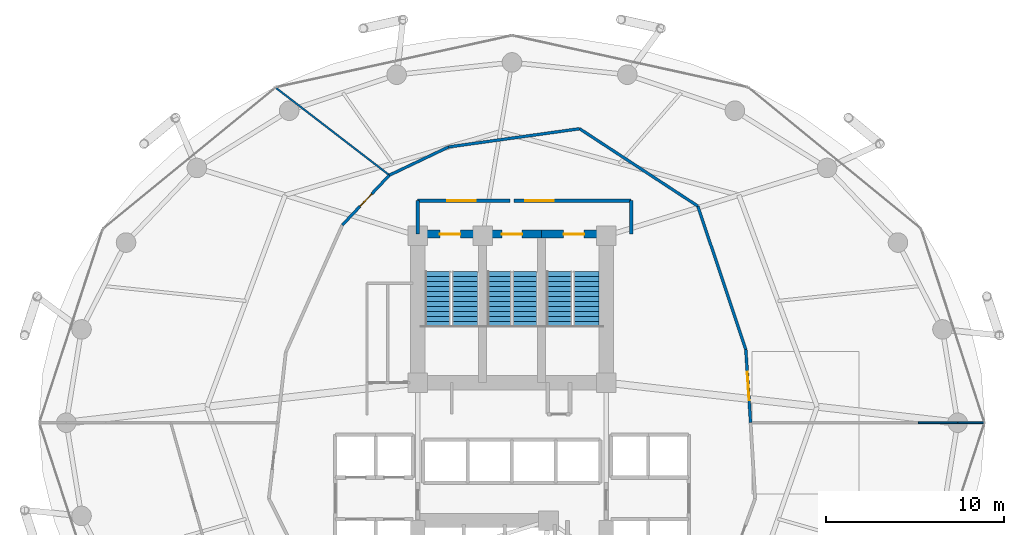
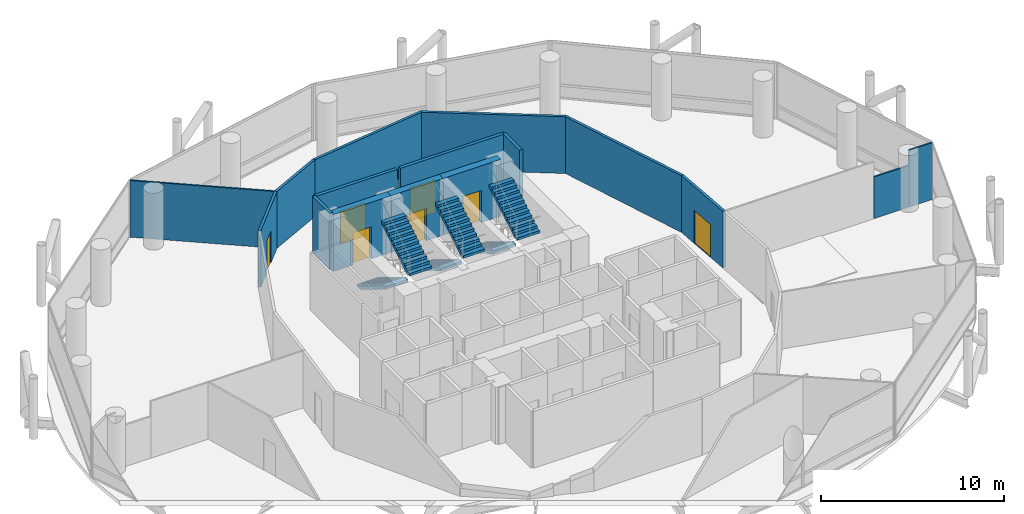
# One storey, part 23 of 24: 16 walls, 7 doors, 6 stair flights, 7 openings, 3 elements without a shape of their own.
"""IFC4 building model written with IfcOpenShell, lengths in metres."""

from ifc_helpers import new_model, si_unit, direction, frame, frame_2d, origin, place, context, subcontext, project, spatial, polyline, rectangle, outline, extrude, material, layer, layer_set, type_object, element, fill, aggregate, save


model = new_model("IFC4")

# Units and contexts
model_context = context("Model", 3, precision=1e-05, world=origin(), true_north=direction((0.0, 1.0)))
body_context = subcontext(model_context, "Body", "Model", "MODEL_VIEW")
ifc_project = project(units=[si_unit("LENGTHUNIT", "METRE"), si_unit("AREAUNIT", "SQUARE_METRE"), si_unit("VOLUMEUNIT", "CUBIC_METRE"), si_unit("PLANEANGLEUNIT", "RADIAN"), si_unit("MASSUNIT", "GRAM", prefix="KILO")], contexts=[model_context])

# Site, building, storey
site_placement = place(None, origin())
site = spatial("IfcSite", under=ifc_project, at=site_placement, CompositionType="ELEMENT")
building_placement = place(site_placement, origin())
building = spatial("IfcBuilding", under=site, at=building_placement, Name="Nuhasar Tower", CompositionType="ELEMENT")
storey_placement = place(building_placement, frame((0.0, 0.0, 37.199951171875)))
storey = spatial("IfcBuildingStorey", under=building, at=storey_placement, Name="L08", CompositionType="ELEMENT", Elevation=37.199951171875)

# Wall, opening, door
ifc_material_1 = material(Name="Concrete C50/60", Category="concrete")
ifc_layer_1 = layer(ifc_material_1, 0.449951171875)
ifc_layer_set_1 = layer_set([ifc_layer_1], Name="Concrete C50/60")
wall_type_1 = type_object("IfcWallType", Name="WL-CORE-450", PredefinedType="SHEAR", material=ifc_layer_set_1)
wall_1_placement = place(storey_placement, frame((37.35009765625, 37.39990234375, 0.0), z_axis=(0.0, 0.0, 1.0), x_axis=(-1.0, 0.0, 0.0)))
wall_1 = element("IfcWall", 1, at=wall_1_placement, inside=storey, type_object=wall_type_1, Name="L08 Stairwell Shear Wall ST01-N", PredefinedType="SHEAR", context=body_context, shape_type="SweptSolid", body=[
    extrude(rectangle(XDim=3.650146484375, YDim=0.449951171875, at=frame_2d((1.8251953125, 0.0))), origin(), (0.0, 0.0, 1.0), 3.7900390625),
])
opening_1_placement = place(wall_1_placement, frame((1.25, 0.0, 0.0)))
opening_1 = element("IfcOpeningElement", 2, at=opening_1_placement, cuts=wall_1, Name="Opening DS-01", PredefinedType="OPENING", context=body_context, shape_type="SweptSolid", body=[
    extrude(rectangle(XDim=1.14990234375, YDim=2.14990234375, at=frame_2d((0.574951171875, 1.074951171875))), frame((0.0, 0.23486328125, 0.0), z_axis=(0.0, -1.0, 0.0), x_axis=(1.0, 0.0, 0.0)), (0.0, 0.0, 1.0), 0.469970703125),
])
ifc_material_2 = material(Name="Steel S355", Category="steel")
door_type_1 = type_object("IfcDoorType", Name="DR-STAIR-FD120-1150", OperationType="NOTDEFINED", PredefinedType="DOOR", material=ifc_material_2)
door_1_placement = place(opening_1_placement, origin())
door_1 = element("IfcDoor", 3, at=door_1_placement, inside=storey, type_object=door_type_1, Name="L08 Exit Stair ST-01 Door", OperationType="SINGLE_SWING_RIGHT", OverallHeight=2.14990234375, OverallWidth=1.14990234375, PredefinedType="DOOR", context=body_context, shape_type="SweptSolid", body=[
    extrude(rectangle(XDim=1.14990234375, YDim=2.14990234375, at=frame_2d((0.574951171875, 1.074951171875))), frame((0.0, 0.02490234375, 0.0), z_axis=(0.0, -1.0, 0.0), x_axis=(1.0, 0.0, 0.0)), (0.0, 0.0, 1.0), 0.050048828125),
])
fill(opening_1, door_1)

wall_2_placement = place(storey_placement, frame((40.64990234375, 37.39990234375, 0.0), z_axis=(0.0, 0.0, 1.0), x_axis=(-1.0, 0.0, 0.0)))
wall_2 = element("IfcWall", 4, at=wall_2_placement, inside=storey, type_object=wall_type_1, Name="L08 Stairwell Shear Wall ST03-N", PredefinedType="SHEAR", context=body_context, shape_type="SweptSolid", body=[
    extrude(rectangle(XDim=3.2998046875, YDim=0.449951171875, at=frame_2d((1.64990234375, 0.0))), origin(), (0.0, 0.0, 1.0), 3.7900390625),
])
opening_2_placement = place(wall_2_placement, frame((1.074951171875, 0.0, 0.0)))
opening_2 = element("IfcOpeningElement", 5, at=opening_2_placement, cuts=wall_2, Name="Opening DS-01", PredefinedType="OPENING", context=body_context, shape_type="SweptSolid", body=[
    extrude(rectangle(XDim=1.14990234375, YDim=2.14990234375, at=frame_2d((0.574951171875, 1.074951171875))), frame((0.0, 0.23486328125, 0.0), z_axis=(0.0, -1.0, 0.0), x_axis=(1.0, 0.0, 0.0)), (0.0, 0.0, 1.0), 0.469970703125),
])
door_2_placement = place(opening_2_placement, origin())
door_2 = element("IfcDoor", 6, at=door_2_placement, inside=storey, type_object=door_type_1, Name="L08 Exit Stair ST-03 Door", OperationType="SINGLE_SWING_RIGHT", OverallHeight=2.14990234375, OverallWidth=1.14990234375, PredefinedType="DOOR", context=body_context, shape_type="SweptSolid", body=[
    extrude(rectangle(XDim=1.14990234375, YDim=2.14990234375, at=frame_2d((0.574951171875, 1.074951171875))), frame((0.0, 0.02490234375, 0.0), z_axis=(0.0, -1.0, 0.0), x_axis=(1.0, 0.0, 0.0)), (0.0, 0.0, 1.0), 0.050048828125),
])
fill(opening_2, door_2)

wall_3_placement = place(storey_placement, frame((44.300048828125, 37.39990234375, 0.0), z_axis=(0.0, 0.0, 1.0), x_axis=(-1.0, 0.0, 0.0)))
wall_3 = element("IfcWall", 7, at=wall_3_placement, inside=storey, type_object=wall_type_1, Name="L08 Stairwell Shear Wall ST02-N", PredefinedType="SHEAR", context=body_context, shape_type="SweptSolid", body=[
    extrude(rectangle(XDim=3.650146484375, YDim=0.449951171875, at=frame_2d((1.8251953125, 0.0))), origin(), (0.0, 0.0, 1.0), 3.7900390625),
])
opening_3_placement = place(wall_3_placement, frame((1.25, 0.0, 0.0)))
opening_3 = element("IfcOpeningElement", 8, at=opening_3_placement, cuts=wall_3, Name="Opening DS-01", PredefinedType="OPENING", context=body_context, shape_type="SweptSolid", body=[
    extrude(rectangle(XDim=1.14990234375, YDim=2.14990234375, at=frame_2d((0.574951171875, 1.074951171875))), frame((0.0, 0.23486328125, 0.0), z_axis=(0.0, -1.0, 0.0), x_axis=(1.0, 0.0, 0.0)), (0.0, 0.0, 1.0), 0.469970703125),
])
door_3_placement = place(opening_3_placement, origin())
door_3 = element("IfcDoor", 9, at=door_3_placement, inside=storey, type_object=door_type_1, Name="L08 Exit Stair ST-02 Door", OperationType="SINGLE_SWING_LEFT", OverallHeight=2.14990234375, OverallWidth=1.14990234375, PredefinedType="DOOR", context=body_context, shape_type="SweptSolid", body=[
    extrude(rectangle(XDim=1.14990234375, YDim=2.14990234375, at=frame_2d((0.574951171875, 1.074951171875))), frame((0.0, 0.02490234375, 0.0), z_axis=(0.0, -1.0, 0.0), x_axis=(1.0, 0.0, 0.0)), (0.0, 0.0, 1.0), 0.050048828125),
])
fill(opening_3, door_3)

ifc_material_3 = material(Name="Gypsum Board", Category="gypsum")
ifc_layer_2 = layer(ifc_material_3, 0.159912109375)
ifc_layer_set_2 = layer_set([ifc_layer_2], Name="Gypsum Board")
wall_type_2 = type_object("IfcWallType", Name="WL-CORR-160", PredefinedType="PARTITIONING", material=ifc_layer_set_2)
wall_4_placement = place(storey_placement, frame((52.14208984375, 30.904052734375, 0.0), z_axis=(0.0, 0.0, 1.0), x_axis=(0.065120257788, -0.997877423347, 0.0)))
wall_4 = element("IfcWall", 10, at=wall_4_placement, inside=storey, type_object=wall_type_2, Name="L08 Interior Partition CORR-00", PredefinedType="PARTITIONING", context=body_context, shape_type="SweptSolid", body=[
    extrude(rectangle(XDim=4.11279296875, YDim=0.159912109375, at=frame_2d((2.056396484375, 0.0))), origin(), (0.0, 0.0, 1.0), 3.7900390625),
])
opening_4_placement = place(wall_4_placement, frame((1.256103515625, 0.0, 0.0)))
opening_4 = element("IfcOpeningElement", 11, at=opening_4_placement, cuts=wall_4, Name="Opening DC-01", PredefinedType="OPENING", context=body_context, shape_type="SweptSolid", body=[
    extrude(rectangle(XDim=1.60009765625, YDim=2.199951171875, at=frame_2d((0.800048828125, 1.10009765625))), frame((0.0, 0.08984375, 0.0), z_axis=(0.0, -1.0, 0.0), x_axis=(1.0, 0.0, 0.0)), (0.0, 0.0, 1.0), 0.179931640625),
])
door_type_2 = type_object("IfcDoorType", Name="DR-CORR-FD60-1600", OperationType="DOUBLE_DOOR_SINGLE_SWING", PredefinedType="DOOR", material=ifc_material_2)
door_4_placement = place(opening_4_placement, origin())
door_4 = element("IfcDoor", 12, at=door_4_placement, inside=storey, type_object=door_type_2, Name="L08 Corporate Headquarters Open-Plan Trading Hall Entry Door", OperationType="DOUBLE_DOOR_SINGLE_SWING", OverallHeight=2.199951171875, OverallWidth=1.60009765625, PredefinedType="DOOR", context=body_context, shape_type="SweptSolid", body=[
    extrude(rectangle(XDim=1.60009765625, YDim=2.199951171875, at=frame_2d((0.800048828125, 1.10009765625))), frame((0.0, 0.02490234375, 0.0), z_axis=(0.0, -1.0, 0.0), x_axis=(1.0, 0.0, 0.0)), (0.0, 0.0, 1.0), 0.050048828125),
])
fill(opening_4, door_4)

# Walls
wall_5_placement = place(storey_placement, frame((52.14208984375, 30.904052734375, 0.0), z_axis=(0.0, 0.0, 1.0), x_axis=(-0.3169334414, 0.948447781231, 0.0)))
element("IfcWall", 13, at=wall_5_placement, inside=storey, type_object=wall_type_2, Name="L08 Interior Partition CORR-02", PredefinedType="PARTITIONING", context=body_context, shape_type="SweptSolid", body=[
    extrude(rectangle(XDim=8.509765625, YDim=0.159912109375, at=frame_2d((4.2548828125, 0.0))), origin(), (0.0, 0.0, 1.0), 3.7900390625),
])
wall_6_placement = place(storey_placement, frame((49.445068359375, 38.97509765625, 0.0), z_axis=(0.0, 0.0, 1.0), x_axis=(-0.836865632057, 0.547408361173, 0.0)))
element("IfcWall", 14, at=wall_6_placement, inside=storey, type_object=wall_type_2, Name="L08 Interior Partition CORR-06", PredefinedType="PARTITIONING", context=body_context, shape_type="SweptSolid", body=[
    extrude(rectangle(XDim=7.942626953125, YDim=0.159912109375, at=frame_2d((3.97119140625, 0.0))), origin(), (0.0, 0.0, 1.0), 3.7900390625),
])
wall_7_placement = place(storey_placement, frame((42.798095703125, 43.322998046875, 0.0), z_axis=(0.0, 0.0, 1.0), x_axis=(-0.990463778548, -0.13777337691, 0.0)))
element("IfcWall", 15, at=wall_7_placement, inside=storey, type_object=wall_type_2, Name="L08 Interior Partition CORR-10", PredefinedType="PARTITIONING", context=body_context, shape_type="SweptSolid", body=[
    extrude(rectangle(XDim=7.431884765625, YDim=0.159912109375, at=frame_2d((3.7158203125, 0.0))), origin(), (0.0, 0.0, 1.0), 3.7900390625),
])
wall_8_placement = place(storey_placement, frame((35.43701171875, 42.299072265625, 0.0), z_axis=(0.0, 0.0, 1.0), x_axis=(-0.902614367428, -0.430450117565, 0.0)))
element("IfcWall", 16, at=wall_8_placement, inside=storey, type_object=wall_type_2, Name="L08 Interior Partition CORR-14", PredefinedType="PARTITIONING", context=body_context, shape_type="SweptSolid", body=[
    extrude(rectangle(XDim=3.687255859375, YDim=0.159912109375, at=frame_2d((1.84375, 0.0))), origin(), (0.0, 0.0, 1.0), 3.7900390625),
])

# Wall, opening, door
wall_9_placement = place(storey_placement, frame((29.466064453125, 37.9130859375, 0.0), z_axis=(0.0, 0.0, 1.0), x_axis=(0.686552760942, 0.727079986276, 0.0)))
wall_9 = element("IfcWall", 17, at=wall_9_placement, inside=storey, type_object=wall_type_2, Name="L08 Interior Partition CORR-16", PredefinedType="PARTITIONING", context=body_context, shape_type="SweptSolid", body=[
    extrude(rectangle(XDim=3.849365234375, YDim=0.159912109375, at=frame_2d((1.9248046875, 0.0))), origin(), (0.0, 0.0, 1.0), 3.7900390625),
])
opening_5_placement = place(wall_9_placement, frame((1.449951171875, 0.0, 0.0)))
opening_5 = element("IfcOpeningElement", 18, at=opening_5_placement, cuts=wall_9, Name="Opening DO-01", PredefinedType="OPENING", context=body_context, shape_type="SweptSolid", body=[
    extrude(rectangle(XDim=0.949951171875, YDim=2.14990234375, at=frame_2d((0.47509765625, 1.074951171875))), frame((0.0, 0.08984375, 0.0), z_axis=(0.0, -1.0, 0.0), x_axis=(1.0, 0.0, 0.0)), (0.0, 0.0, 1.0), 0.179931640625),
])
ifc_material_4 = material(Name="Timber Oak", Category="wood")
door_type_3 = type_object("IfcDoorType", Name="DR-OFFICE-FD30-950", OperationType="NOTDEFINED", PredefinedType="DOOR", material=ifc_material_4)
door_5_placement = place(opening_5_placement, origin())
door_5 = element("IfcDoor", 19, at=door_5_placement, inside=storey, type_object=door_type_3, Name="L08 Townhall Lecture Room Entry Door", OperationType="SINGLE_SWING_RIGHT", OverallHeight=2.14990234375, OverallWidth=0.949951171875, PredefinedType="DOOR", context=body_context, shape_type="SweptSolid", body=[
    extrude(rectangle(XDim=0.949951171875, YDim=2.14990234375, at=frame_2d((0.47509765625, 1.074951171875))), frame((0.0, 0.02490234375, 0.0), z_axis=(0.0, -1.0, 0.0), x_axis=(1.0, 0.0, 0.0)), (0.0, 0.0, 1.0), 0.050048828125),
])
fill(opening_5, door_5)

# Walls
ifc_material_5 = material(Name="Concrete C45/55", Category="concrete")
ifc_layer_3 = layer(ifc_material_5, 0.199951171875)
ifc_layer_set_3 = layer_set([ifc_layer_3], Name="Concrete C45/55")
wall_type_3 = type_object("IfcWallType", Name="WL-LOBBY-200", PredefinedType="SOLIDWALL", material=ifc_layer_set_3)
for number, where, z_axis, x_axis, name in (
    (20, (33.699951171875, 37.39990234375, 0.0), (0.0, 0.0, 1.0), (0.0, 1.0, 0.0), "L08 Interior Partition NSL-W"),
    (21, (45.699951171875, 37.39990234375, 0.0), (0.0, 0.0, 1.0), (0.0, 1.0, 0.0), "L08 Interior Partition NSL-E"),
):
    element("IfcWall", number, at=place(storey_placement, frame(where, z_axis=z_axis, x_axis=x_axis)), inside=storey, type_object=wall_type_3, Name=name, PredefinedType="SOLIDWALL", context=body_context, shape_type="SweptSolid", body=[
        extrude(rectangle(XDim=1.880126953125, YDim=0.199951171875, at=frame_2d((0.93994140625, 0.0))), origin(), (0.0, 0.0, 1.0), 3.7900390625),
    ])

# Wall, opening, door
wall_10_placement = place(storey_placement, frame((38.89990234375, 39.280029296875, 0.0), z_axis=(0.0, 0.0, 1.0), x_axis=(-1.0, 0.0, 0.0)))
wall_10 = element("IfcWall", 22, at=wall_10_placement, inside=storey, type_object=wall_type_3, Name="L08 Interior Partition NSL-N1", PredefinedType="SOLIDWALL", context=body_context, shape_type="SweptSolid", body=[
    extrude(rectangle(XDim=5.199951171875, YDim=0.199951171875, at=frame_2d((2.60009765625, 0.0))), origin(), (0.0, 0.0, 1.0), 3.7900390625),
])
opening_6_placement = place(wall_10_placement, frame((1.949951171875, 0.0, 0.0)))
opening_6 = element("IfcOpeningElement", 23, at=opening_6_placement, cuts=wall_10, Name="Opening DC-01", PredefinedType="OPENING", context=body_context, shape_type="SweptSolid", body=[
    extrude(rectangle(XDim=1.60009765625, YDim=2.199951171875, at=frame_2d((0.800048828125, 1.10009765625))), frame((0.0, 0.10986328125, 0.0), z_axis=(0.0, -1.0, 0.0), x_axis=(1.0, 0.0, 0.0)), (0.0, 0.0, 1.0), 0.219970703125),
])
door_6_placement = place(opening_6_placement, origin())
door_6 = element("IfcDoor", 24, at=door_6_placement, inside=storey, type_object=door_type_2, Name="L08 North Stair Lobby West Door", OperationType="DOUBLE_DOOR_SINGLE_SWING", OverallHeight=2.199951171875, OverallWidth=1.60009765625, PredefinedType="DOOR", context=body_context, shape_type="SweptSolid", body=[
    extrude(rectangle(XDim=1.60009765625, YDim=2.199951171875, at=frame_2d((0.800048828125, 1.10009765625))), frame((0.0, 0.02490234375, 0.0), z_axis=(0.0, -1.0, 0.0), x_axis=(1.0, 0.0, 0.0)), (0.0, 0.0, 1.0), 0.050048828125),
])
fill(opening_6, door_6)

wall_11_placement = place(storey_placement, frame((45.699951171875, 39.280029296875, 0.0), z_axis=(0.0, 0.0, 1.0), x_axis=(-1.0, 0.0, 0.0)))
wall_11 = element("IfcWall", 25, at=wall_11_placement, inside=storey, type_object=wall_type_3, Name="L08 Interior Partition NSL-N2", PredefinedType="SOLIDWALL", context=body_context, shape_type="SweptSolid", body=[
    extrude(rectangle(XDim=6.599853515625, YDim=0.199951171875, at=frame_2d((3.2998046875, 0.0))), origin(), (0.0, 0.0, 1.0), 3.7900390625),
])
opening_7_placement = place(wall_11_placement, frame((4.35009765625, 0.0, 0.0)))
opening_7 = element("IfcOpeningElement", 26, at=opening_7_placement, cuts=wall_11, Name="Opening DC-01", PredefinedType="OPENING", context=body_context, shape_type="SweptSolid", body=[
    extrude(rectangle(XDim=1.60009765625, YDim=2.199951171875, at=frame_2d((0.800048828125, 1.10009765625))), frame((0.0, 0.10986328125, 0.0), z_axis=(0.0, -1.0, 0.0), x_axis=(1.0, 0.0, 0.0)), (0.0, 0.0, 1.0), 0.219970703125),
])
door_7_placement = place(opening_7_placement, origin())
door_7 = element("IfcDoor", 27, at=door_7_placement, inside=storey, type_object=door_type_2, Name="L08 North Stair Lobby East Door", OperationType="DOUBLE_DOOR_SINGLE_SWING", OverallHeight=2.199951171875, OverallWidth=1.60009765625, PredefinedType="DOOR", context=body_context, shape_type="SweptSolid", body=[
    extrude(rectangle(XDim=1.60009765625, YDim=2.199951171875, at=frame_2d((0.800048828125, 1.10009765625))), frame((0.0, 0.02490234375, 0.0), z_axis=(0.0, -1.0, 0.0), x_axis=(1.0, 0.0, 0.0)), (0.0, 0.0, 1.0), 0.050048828125),
])
fill(opening_7, door_7)

# Walls
ifc_material_6 = material(Name="Aluminium 6063-T6", Category="aluminium")
ifc_layer_4 = layer(ifc_material_6, 0.10009765625)
ifc_layer_set_4 = layer_set([ifc_layer_4], Name="Aluminium 6063-T6")
wall_type_4 = type_object("IfcWallType", Name="WL-MOVABLE-100", PredefinedType="MOVABLE", material=ifc_layer_set_4)
wall_12_placement = place(storey_placement, frame((61.840087890625, 26.800048828125, 0.0), z_axis=(0.0, 0.0, 1.0), x_axis=(1.0, 0.0, 0.0)))
element("IfcWall", 28, at=wall_12_placement, inside=storey, type_object=wall_type_4, Name="L08 Interior Partition ORAD-00", PredefinedType="MOVABLE", context=body_context, shape_type="SweptSolid", body=[
    extrude(rectangle(XDim=2.2158203125, YDim=0.10009765625, at=frame_2d((1.10791015625, 0.0))), origin(), (0.0, 0.0, 1.0), 2.780029296875),
])
wall_13_placement = place(storey_placement, frame((64.055908203125, 26.800048828125, 0.0), z_axis=(0.0, 0.0, 1.0), x_axis=(1.0, 0.0, 0.0)))
element("IfcWall", 29, at=wall_13_placement, inside=storey, type_object=wall_type_4, Name="L08 Interior Partition ORAD-00", PredefinedType="MOVABLE", context=body_context, shape_type="SweptSolid", body=[
    extrude(rectangle(XDim=1.468994140625, YDim=0.10009765625, at=frame_2d((0.734375, 0.0))), origin(), (0.0, 0.0, 1.0), 3.7900390625),
])
wall_14_placement = place(storey_placement, frame((32.10888671875, 40.7119140625, 0.0), z_axis=(0.0, 0.0, 1.0), x_axis=(-0.792537044835, 0.609823771728, 0.0)))
element("IfcWall", 30, at=wall_14_placement, inside=storey, type_object=wall_type_4, Name="L08 Interior Partition ORAD-16", PredefinedType="MOVABLE", context=body_context, shape_type="SweptSolid", body=[
    extrude(rectangle(XDim=8.03857421875, YDim=0.10009765625, at=frame_2d((4.019287109375, 0.0))), origin(), (0.0, 0.0, 1.0), 3.7900390625),
])

# Stair, stair flights
stair_type_1 = type_object("IfcStairType", Name="STR-ST-01-2F-24R-1688", PredefinedType="HALF_TURN_STAIR", material=ifc_material_5)
stair_1_placement = place(storey_placement, origin())
stair_1 = element("IfcStair", 31, at=stair_1_placement, inside=storey, type_object=stair_type_1, Name="L08 Exit Stair ST-01", PredefinedType="HALF_TURN_STAIR")
stair_flight_type_1 = type_object("IfcStairFlightType", Name="SFL-ST-01-12R-1688", PredefinedType="STRAIGHT", material=ifc_material_5)
stair_flight_1_placement = place(storey_placement, frame((34.830078125, 35.284912109375, 0.0), z_axis=(0.0, 0.0, 1.0), x_axis=(0.0, -1.0, 0.0)))
stair_flight_1 = element("IfcStairFlight", 32, at=stair_flight_1_placement, type_object=stair_flight_type_1, Name="ST-01 flight 1", NumberOfRisers=12, NumberOfTreads=11, PredefinedType="STRAIGHT", RiserHeight=0.16875, TreadLength=0.28, context=body_context, shape_type="SweptSolid", body=[
    extrude(outline(polyline([(0.0, 0.0), (0.0, 0.168701171875), (0.280029296875, 0.168701171875), (0.280029296875, 0.33740234375), (0.56005859375, 0.33740234375), (0.56005859375, 0.50634765625), (0.840087890625, 0.50634765625), (0.840087890625, 0.675048828125), (1.1201171875, 0.675048828125), (1.1201171875, 0.84375), (1.39990234375, 0.84375), (1.39990234375, 1.012451171875), (1.679931640625, 1.012451171875), (1.679931640625, 1.18115234375), (1.9599609375, 1.18115234375), (1.9599609375, 1.35009765625), (2.239990234375, 1.35009765625), (2.239990234375, 1.518798828125), (2.52001953125, 1.518798828125), (2.52001953125, 1.6875), (2.800048828125, 1.6875), (2.800048828125, 1.856201171875), (3.080078125, 1.856201171875), (3.080078125, 2.02490234375), (3.080078125, 1.66943359375), (0.309814453125, 0.0), (0.0, 0.0)])), frame((0.0, 0.7099609375, 0.0), z_axis=(0.0, -1.0, 0.0), x_axis=(1.0, 0.0, 0.0)), (0.0, 0.0, 1.0), 1.419921875),
])
stair_flight_2_placement = place(storey_placement, frame((36.35009765625, 32.205078125, 2.025146484375), z_axis=(0.0, 0.0, 1.0), x_axis=(0.0, 1.0, 0.0)))
stair_flight_2 = element("IfcStairFlight", 33, at=stair_flight_2_placement, type_object=stair_flight_type_1, Name="ST-01 flight 2", NumberOfRisers=12, NumberOfTreads=11, PredefinedType="STRAIGHT", RiserHeight=0.16875, TreadLength=0.28, context=body_context, shape_type="SweptSolid", body=[
    extrude(outline(polyline([(0.0, 0.0), (0.0, 0.168701171875), (0.280029296875, 0.168701171875), (0.280029296875, 0.33740234375), (0.56005859375, 0.33740234375), (0.56005859375, 0.50634765625), (0.840087890625, 0.50634765625), (0.840087890625, 0.675048828125), (1.1201171875, 0.675048828125), (1.1201171875, 0.84375), (1.39990234375, 0.84375), (1.39990234375, 1.012451171875), (1.679931640625, 1.012451171875), (1.679931640625, 1.18115234375), (1.9599609375, 1.18115234375), (1.9599609375, 1.35009765625), (2.239990234375, 1.35009765625), (2.239990234375, 1.518798828125), (2.52001953125, 1.518798828125), (2.52001953125, 1.6875), (2.800048828125, 1.6875), (2.800048828125, 1.856201171875), (3.080078125, 1.856201171875), (3.080078125, 2.02490234375), (3.080078125, 1.66943359375), (0.309814453125, 0.0), (0.0, 0.0)])), frame((0.0, 0.7099609375, 0.0), z_axis=(0.0, -1.0, 0.0), x_axis=(1.0, 0.0, 0.0)), (0.0, 0.0, 1.0), 1.419921875),
])
aggregate(stair_1, [stair_flight_1, stair_flight_2])

stair_type_2 = type_object("IfcStairType", Name="STR-ST-02-2F-24R-1688", PredefinedType="HALF_TURN_STAIR", material=ifc_material_5)
stair_2_placement = place(storey_placement, origin())
stair_2 = element("IfcStair", 34, at=stair_2_placement, inside=storey, type_object=stair_type_2, Name="L08 Exit Stair ST-02", PredefinedType="HALF_TURN_STAIR")
stair_flight_type_2 = type_object("IfcStairFlightType", Name="SFL-ST-02-12R-1688", PredefinedType="STRAIGHT", material=ifc_material_5)
stair_flight_3_placement = place(storey_placement, frame((41.64990234375, 35.284912109375, 0.0), z_axis=(0.0, 0.0, 1.0), x_axis=(0.0, -1.0, 0.0)))
stair_flight_3 = element("IfcStairFlight", 35, at=stair_flight_3_placement, type_object=stair_flight_type_2, Name="ST-02 flight 1", NumberOfRisers=12, NumberOfTreads=11, PredefinedType="STRAIGHT", RiserHeight=0.16875, TreadLength=0.28, context=body_context, shape_type="SweptSolid", body=[
    extrude(outline(polyline([(0.0, 0.0), (0.0, 0.168701171875), (0.280029296875, 0.168701171875), (0.280029296875, 0.33740234375), (0.56005859375, 0.33740234375), (0.56005859375, 0.50634765625), (0.840087890625, 0.50634765625), (0.840087890625, 0.675048828125), (1.1201171875, 0.675048828125), (1.1201171875, 0.84375), (1.39990234375, 0.84375), (1.39990234375, 1.012451171875), (1.679931640625, 1.012451171875), (1.679931640625, 1.18115234375), (1.9599609375, 1.18115234375), (1.9599609375, 1.35009765625), (2.239990234375, 1.35009765625), (2.239990234375, 1.518798828125), (2.52001953125, 1.518798828125), (2.52001953125, 1.6875), (2.800048828125, 1.6875), (2.800048828125, 1.856201171875), (3.080078125, 1.856201171875), (3.080078125, 2.02490234375), (3.080078125, 1.66943359375), (0.309814453125, 0.0), (0.0, 0.0)])), frame((0.0, 0.7099609375, 0.0), z_axis=(0.0, -1.0, 0.0), x_axis=(1.0, 0.0, 0.0)), (0.0, 0.0, 1.0), 1.419921875),
])
stair_flight_4_placement = place(storey_placement, frame((43.169921875, 32.205078125, 2.025146484375), z_axis=(0.0, 0.0, 1.0), x_axis=(0.0, 1.0, 0.0)))
stair_flight_4 = element("IfcStairFlight", 36, at=stair_flight_4_placement, type_object=stair_flight_type_2, Name="ST-02 flight 2", NumberOfRisers=12, NumberOfTreads=11, PredefinedType="STRAIGHT", RiserHeight=0.16875, TreadLength=0.28, context=body_context, shape_type="SweptSolid", body=[
    extrude(outline(polyline([(0.0, 0.0), (0.0, 0.168701171875), (0.280029296875, 0.168701171875), (0.280029296875, 0.33740234375), (0.56005859375, 0.33740234375), (0.56005859375, 0.50634765625), (0.840087890625, 0.50634765625), (0.840087890625, 0.675048828125), (1.1201171875, 0.675048828125), (1.1201171875, 0.84375), (1.39990234375, 0.84375), (1.39990234375, 1.012451171875), (1.679931640625, 1.012451171875), (1.679931640625, 1.18115234375), (1.9599609375, 1.18115234375), (1.9599609375, 1.35009765625), (2.239990234375, 1.35009765625), (2.239990234375, 1.518798828125), (2.52001953125, 1.518798828125), (2.52001953125, 1.6875), (2.800048828125, 1.6875), (2.800048828125, 1.856201171875), (3.080078125, 1.856201171875), (3.080078125, 2.02490234375), (3.080078125, 1.66943359375), (0.309814453125, 0.0), (0.0, 0.0)])), frame((0.0, 0.7099609375, 0.0), z_axis=(0.0, -1.0, 0.0), x_axis=(1.0, 0.0, 0.0)), (0.0, 0.0, 1.0), 1.419921875),
])
aggregate(stair_2, [stair_flight_3, stair_flight_4])

stair_type_3 = type_object("IfcStairType", Name="STR-ST-03-2F-24R-1688", PredefinedType="HALF_TURN_STAIR", material=ifc_material_5)
stair_3_placement = place(storey_placement, origin())
stair_3 = element("IfcStair", 37, at=stair_3_placement, inside=storey, type_object=stair_type_3, Name="L08 Exit Stair ST-03", PredefinedType="HALF_TURN_STAIR")
stair_flight_type_3 = type_object("IfcStairFlightType", Name="SFL-ST-03-12R-1688", PredefinedType="STRAIGHT", material=ifc_material_5)
stair_flight_5_placement = place(storey_placement, frame((38.280029296875, 35.284912109375, 0.0), z_axis=(0.0, 0.0, 1.0), x_axis=(0.0, -1.0, 0.0)))
stair_flight_5 = element("IfcStairFlight", 38, at=stair_flight_5_placement, type_object=stair_flight_type_3, Name="ST-03 flight 1", NumberOfRisers=12, NumberOfTreads=11, PredefinedType="STRAIGHT", RiserHeight=0.16875, TreadLength=0.28, context=body_context, shape_type="SweptSolid", body=[
    extrude(outline(polyline([(0.0, 0.0), (0.0, 0.168701171875), (0.280029296875, 0.168701171875), (0.280029296875, 0.33740234375), (0.56005859375, 0.33740234375), (0.56005859375, 0.50634765625), (0.840087890625, 0.50634765625), (0.840087890625, 0.675048828125), (1.1201171875, 0.675048828125), (1.1201171875, 0.84375), (1.39990234375, 0.84375), (1.39990234375, 1.012451171875), (1.679931640625, 1.012451171875), (1.679931640625, 1.18115234375), (1.9599609375, 1.18115234375), (1.9599609375, 1.35009765625), (2.239990234375, 1.35009765625), (2.239990234375, 1.518798828125), (2.52001953125, 1.518798828125), (2.52001953125, 1.6875), (2.800048828125, 1.6875), (2.800048828125, 1.856201171875), (3.080078125, 1.856201171875), (3.080078125, 2.02490234375), (3.080078125, 1.66943359375), (0.309814453125, 0.0), (0.0, 0.0)])), frame((0.0, 0.669921875, 0.0), z_axis=(0.0, -1.0, 0.0), x_axis=(1.0, 0.0, 0.0)), (0.0, 0.0, 1.0), 1.340087890625),
])
stair_flight_6_placement = place(storey_placement, frame((39.719970703125, 32.205078125, 2.025146484375), z_axis=(0.0, 0.0, 1.0), x_axis=(0.0, 1.0, 0.0)))
stair_flight_6 = element("IfcStairFlight", 39, at=stair_flight_6_placement, type_object=stair_flight_type_3, Name="ST-03 flight 2", NumberOfRisers=12, NumberOfTreads=11, PredefinedType="STRAIGHT", RiserHeight=0.16875, TreadLength=0.28, context=body_context, shape_type="SweptSolid", body=[
    extrude(outline(polyline([(0.0, 0.0), (0.0, 0.168701171875), (0.280029296875, 0.168701171875), (0.280029296875, 0.33740234375), (0.56005859375, 0.33740234375), (0.56005859375, 0.50634765625), (0.840087890625, 0.50634765625), (0.840087890625, 0.675048828125), (1.1201171875, 0.675048828125), (1.1201171875, 0.84375), (1.39990234375, 0.84375), (1.39990234375, 1.012451171875), (1.679931640625, 1.012451171875), (1.679931640625, 1.18115234375), (1.9599609375, 1.18115234375), (1.9599609375, 1.35009765625), (2.239990234375, 1.35009765625), (2.239990234375, 1.518798828125), (2.52001953125, 1.518798828125), (2.52001953125, 1.6875), (2.800048828125, 1.6875), (2.800048828125, 1.856201171875), (3.080078125, 1.856201171875), (3.080078125, 2.02490234375), (3.080078125, 1.66943359375), (0.309814453125, 0.0), (0.0, 0.0)])), frame((0.0, 0.669921875, 0.0), z_axis=(0.0, -1.0, 0.0), x_axis=(1.0, 0.0, 0.0)), (0.0, 0.0, 1.0), 1.340087890625),
])
aggregate(stair_3, [stair_flight_5, stair_flight_6])

save(model, "model.ifc")
